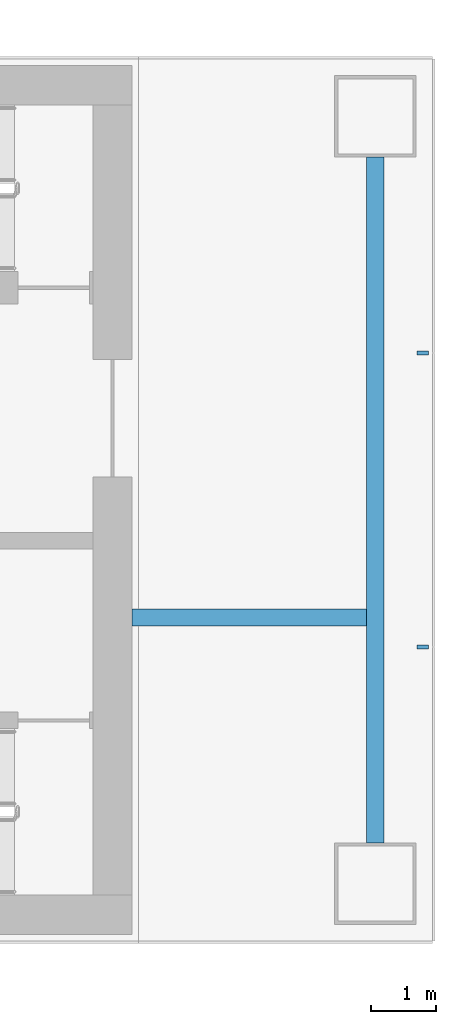
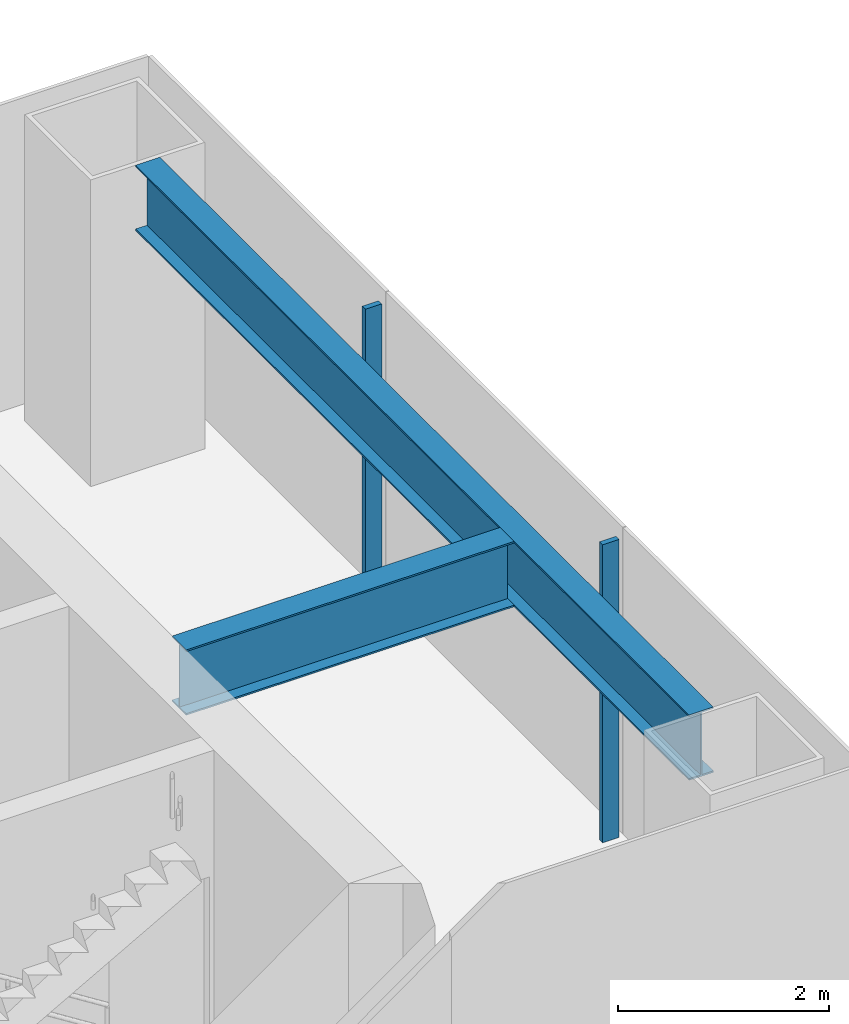
# One storey, part 6 of 19: 2 beams, 2 members, 1 element without a shape of its own.
"""IFC4 building model written with IfcOpenShell, lengths in metres."""

from ifc_helpers import new_model, si_unit, direction, frame, origin, origin_2d, place, context, subcontext, project, spatial, rectangle, i_section, extrude, material, layer, layer_set, material_profile, profile_set, type_object, element, aggregate, save


model = new_model("IFC4")

# Units and contexts
model_context = context("Model", 3, precision=1e-05, world=origin(), true_north=direction((0.0, 1.0)))
body_context = subcontext(model_context, "Body", "Model", "MODEL_VIEW")
ifc_project = project(units=[si_unit("LENGTHUNIT", "METRE"), si_unit("AREAUNIT", "SQUARE_METRE"), si_unit("VOLUMEUNIT", "CUBIC_METRE"), si_unit("PLANEANGLEUNIT", "RADIAN"), si_unit("MASSUNIT", "GRAM", prefix="KILO")], contexts=[model_context])

# Site, building, storey
site_placement = place(None, origin())
site = spatial("IfcSite", under=ifc_project, at=site_placement, CompositionType="ELEMENT")
building_placement = place(site_placement, origin())
building = spatial("IfcBuilding", under=site, at=building_placement, Name="Shamsa Quay Exchange Towers", CompositionType="ELEMENT")
storey_placement = place(building_placement, frame((0.0, 0.0, 93.60009765625)))
storey = spatial("IfcBuildingStorey", under=building, at=storey_placement, Name="L21", CompositionType="ELEMENT", Elevation=93.60009765625)

# Curtain wall, members
ifc_material_1 = material(Name="Aluminium EN AW-6063 T6, black anodised", Category="aluminium")
ifc_layer = layer(ifc_material_1, 0.280029296875)
ifc_layer_set = layer_set([ifc_layer], Name="CW-1 UNITISED VISION GLASS")
curtain_wall_type = type_object("IfcCurtainWallType", Name="CW-1 UNITISED VISION GLASS", PredefinedType="NOTDEFINED", material=ifc_layer_set)
curtain_wall_placement = place(storey_placement, origin())
curtain_wall = element("IfcCurtainWall", 1, at=curtain_wall_placement, inside=storey, type_object=curtain_wall_type, Name="CW1 T2-END-V- L21", PredefinedType="NOTDEFINED")
ifc_material_profile_1 = material_profile(ifc_material_1, rectangle(XDim=0.179931640625, YDim=0.06005859375, at=origin_2d()), Name="MU60x180")
ifc_profile_set_1 = profile_set([ifc_material_profile_1], Name="Aluminium EN AW-6063 T6, black anodised")
member_type = type_object("IfcMemberType", Name="CW1 MULLION 60x180", PredefinedType="MULLION", material=ifc_profile_set_1)
member_1_placement = place(storey_placement, frame((58.35009765625, -2.25, 0.0), z_axis=(0.0, 0.0, 1.0), x_axis=(-1.0, 0.0, 0.0)))
member_1 = element("IfcMember", 2, at=member_1_placement, type_object=member_type, Name="CW1 mullion", PredefinedType="MULLION", context=body_context, shape_type="SweptSolid", body=[
    extrude(rectangle(XDim=0.179931640625, YDim=0.06005859375, at=origin_2d()), origin(), (0.0, 0.0, 1.0), 3.449951171875),
])
member_2_placement = place(storey_placement, frame((58.35009765625, 2.25, 0.0), z_axis=(0.0, 0.0, 1.0), x_axis=(-1.0, 0.0, 0.0)))
member_2 = element("IfcMember", 3, at=member_2_placement, type_object=member_type, Name="CW1 mullion", PredefinedType="MULLION", context=body_context, shape_type="SweptSolid", body=[
    extrude(rectangle(XDim=0.179931640625, YDim=0.06005859375, at=origin_2d()), origin(), (0.0, 0.0, 1.0), 3.449951171875),
])
aggregate(curtain_wall, [member_1, member_2])

# Beams
ifc_material_2 = material(Name="Steel S355", Category="steel")
ifc_material_profile_2 = material_profile(ifc_material_2, i_section(OverallWidth=0.26611328125, OverallDepth=0.7578125, WebThickness=0.013916015625, FlangeThickness=0.019287109375, at=origin_2d()), Name="W30x108")
ifc_profile_set_2 = profile_set([ifc_material_profile_2], Name="Steel S355")
beam_type = type_object("IfcBeamType", Name="End-zone beam W30x108", PredefinedType="BEAM", material=ifc_profile_set_2)
beam_1_placement = place(storey_placement, frame((57.625, -5.25, 3.171142578125), z_axis=(0.0, 1.0, 0.0), x_axis=(-1.0, 0.0, 0.0)))
element("IfcBeam", 4, at=beam_1_placement, inside=storey, type_object=beam_type, Name="End beam T2 V- end zone L21", PredefinedType="BEAM", context=body_context, shape_type="SweptSolid", body=[
    extrude(i_section(OverallWidth=0.26611328125, OverallDepth=0.7578125, WebThickness=0.013916015625, FlangeThickness=0.019287109375, at=origin_2d()), origin(), (0.0, 0.0, 1.0), 10.5),
])
beam_2_placement = place(storey_placement, frame((53.89990234375, -1.800048828125, 3.171142578125), z_axis=(1.0, 0.0, 0.0), x_axis=(0.0, 1.0, 0.0)))
element("IfcBeam", 5, at=beam_2_placement, inside=storey, type_object=beam_type, Name="Spine beam T2 V- end zone L21", PredefinedType="BEAM", context=body_context, shape_type="SweptSolid", body=[
    extrude(i_section(OverallWidth=0.26611328125, OverallDepth=0.7578125, WebThickness=0.013916015625, FlangeThickness=0.019287109375, at=origin_2d()), origin(), (0.0, 0.0, 1.0), 3.592041015625),
])

save(model, "model.ifc")
